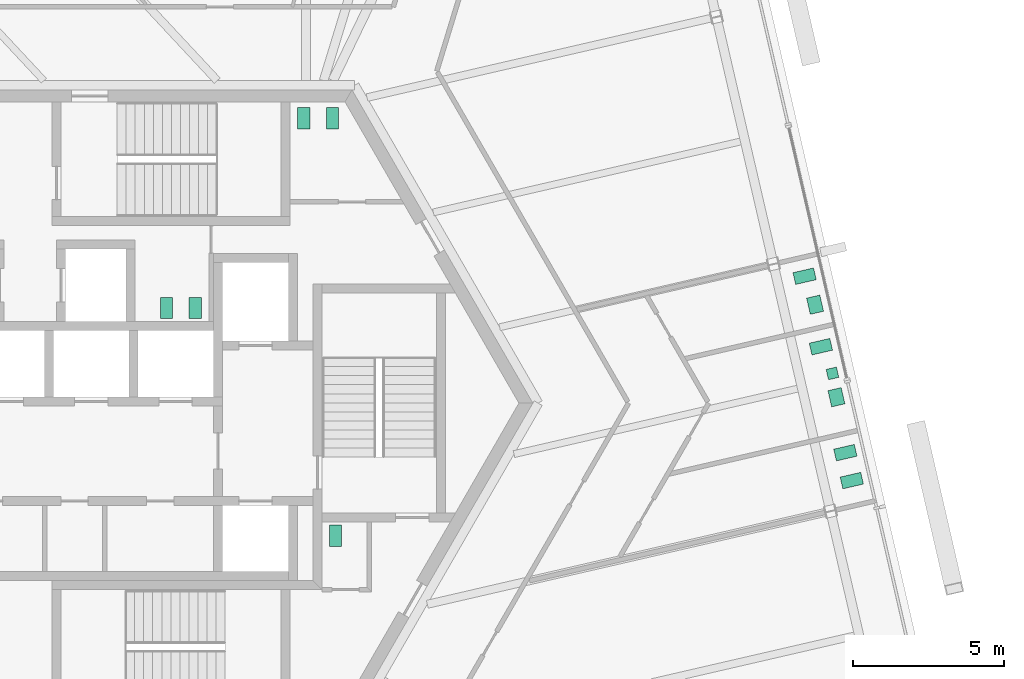
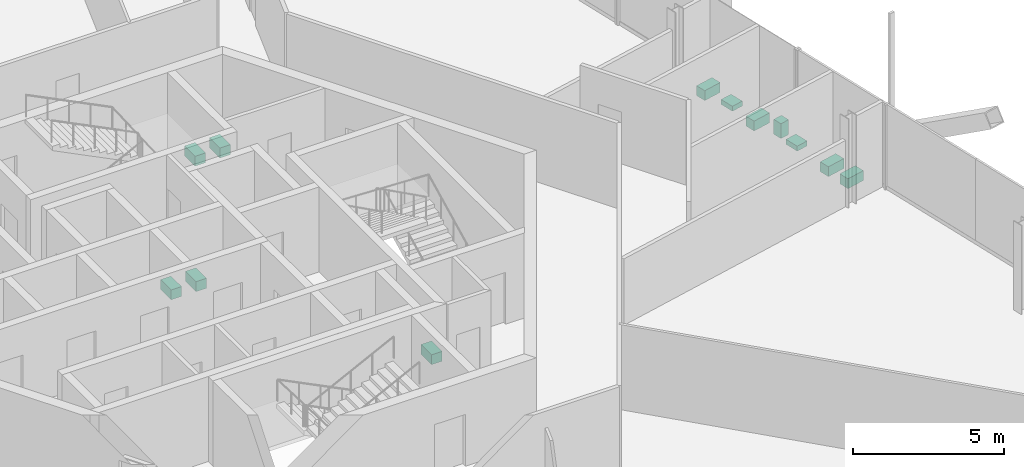
# One storey, part 19 of 21: 12 sanitary terminals.
"""IFC4 building model written with IfcOpenShell, lengths in metres."""

from ifc_helpers import new_model, si_unit, direction, frame, origin, origin_2d, place, context, subcontext, project, spatial, rectangle, extrude, source, transform, mapped, material, element, save


model = new_model("IFC4")

# Units and contexts
model_context = context("Model", 3, precision=1e-05, world=origin(), true_north=direction((0.0, 1.0)))
body_context = subcontext(model_context, "Body", "Model", "MODEL_VIEW")
ifc_project = project(units=[si_unit("LENGTHUNIT", "METRE"), si_unit("AREAUNIT", "SQUARE_METRE"), si_unit("VOLUMEUNIT", "CUBIC_METRE"), si_unit("PLANEANGLEUNIT", "RADIAN"), si_unit("MASSUNIT", "GRAM", prefix="KILO")], contexts=[model_context])

# Site, building, storey
site_placement = place(None, origin())
site = spatial("IfcSite", under=ifc_project, at=site_placement, CompositionType="ELEMENT")
building_placement = place(site_placement, origin())
building = spatial("IfcBuilding", under=site, at=building_placement, Name="Triune Harvest Tower", CompositionType="ELEMENT")
storey_placement = place(building_placement, frame((0.0, 0.0, 119.89990234375)))
storey = spatial("IfcBuildingStorey", under=building, at=storey_placement, Name="L30", CompositionType="ELEMENT", Elevation=119.89990234375)

# Sanitary terminals
ifc_material = material(Name="Vitreous china")
shared_shape_1 = source(origin(), body_context, "Body", "SweptSolid", [
    extrude(rectangle(XDim=0.39990234375, YDim=0.699951171875, at=origin_2d()), origin(), (0.0, 0.0, 1.0), 0.39990234375),
])
for number, where, z_axis, x_axis, name in (
    (1, (4.39990234375, 9.449951171875, 0.000244140625), (0.0, 0.0, 1.0), (1.0, 0.0, 0.0), "Toilet pan L30.c01"),
    (2, (5.35009765625, 9.449951171875, 0.000244140625), (0.0, 0.0, 1.0), (1.0, 0.0, 0.0), "Toilet pan L30.c02"),
    (3, (0.800048828125, 3.159912109375, 0.000244140625), (0.0, 0.0, 1.0), (-1.0, 0.0, 0.0), "Toilet pan L30.c03"),
    (4, (-0.14990234375, 3.159912109375, 0.000244140625), (0.0, 0.0, 1.0), (-1.0, 0.0, 0.0), "Toilet pan L30.c04"),
    (5, (5.449951171875, -4.39990234375, 0.000244140625), (0.0, 0.0, 1.0), (1.0, 0.0, 0.0), "Toilet pan L30.c05"),
    (6, (22.367431640625, -1.644287109375, 0.000244140625), (0.0, 0.0, 1.0), (0.224934048344, -0.974373990773, 0.0), "Toilet pan 01"),
    (7, (22.5810546875, -2.56982421875, 0.000244140625), (0.0, 0.0, 1.0), (0.224934048344, -0.974373990773, 0.0), "Toilet pan 02"),
    (8, (21.5556640625, 1.8720703125, 0.000244140625), (0.0, 0.0, 1.0), (0.224934048344, -0.974373990773, 0.0), "Toilet pan 03"),
    (9, (21.015625, 4.21044921875, 0.000244140625), (0.0, 0.0, 1.0), (0.224968060275, -0.9743661385, 0.0), "Toilet pan 06"),
):
    element("IfcSanitaryTerminal", number, at=place(storey_placement, frame(where, z_axis=z_axis, x_axis=x_axis)), inside=storey, material=ifc_material, Name=name, PredefinedType="TOILETPAN", context=body_context, shape_type="MappedRepresentation", body=[
        mapped(shared_shape_1, transform((0.0, 0.0, 0.0), scale=1.0)),
    ])
shared_shape_2 = source(origin(), body_context, "Body", "SweptSolid", [
    extrude(rectangle(XDim=0.35009765625, YDim=0.35009765625, at=origin_2d()), origin(), (0.0, 0.0, 1.0), 0.60009765625),
])
sanitary_terminal_placement = place(storey_placement, frame((21.939697265625, 0.98583984375, 0.0), z_axis=(0.0, 0.0, 1.0), x_axis=(0.224934048344, -0.974373990773, 0.0)))
element("IfcSanitaryTerminal", 10, at=sanitary_terminal_placement, inside=storey, material=ifc_material, Name="Urinal 04", PredefinedType="URINAL", context=body_context, shape_type="MappedRepresentation", body=[
    mapped(shared_shape_2, transform((0.0, 0.0, 0.0), scale=1.0)),
])
shared_shape_3 = source(origin(), body_context, "Body", "SweptSolid", [
    extrude(rectangle(XDim=0.550048828125, YDim=0.449951171875, at=origin_2d()), origin(), (0.0, 0.0, 1.0), 0.199951171875),
])
for number, where, z_axis, x_axis, name in (
    (11, (22.071044921875, 0.195068359375, 0.0), (0.0, 0.0, 1.0), (0.224934048344, -0.974373990773, 0.0), "Wash basin 05"),
    (12, (21.362548828125, 3.264404296875, 0.0), (0.0, 0.0, 1.0), (0.224968060275, -0.9743661385, 0.0), "Wash basin 07"),
):
    element("IfcSanitaryTerminal", number, at=place(storey_placement, frame(where, z_axis=z_axis, x_axis=x_axis)), inside=storey, material=ifc_material, Name=name, PredefinedType="WASHHANDBASIN", context=body_context, shape_type="MappedRepresentation", body=[
        mapped(shared_shape_3, transform((0.0, 0.0, 0.0), scale=1.0)),
    ])

save(model, "model.ifc")
